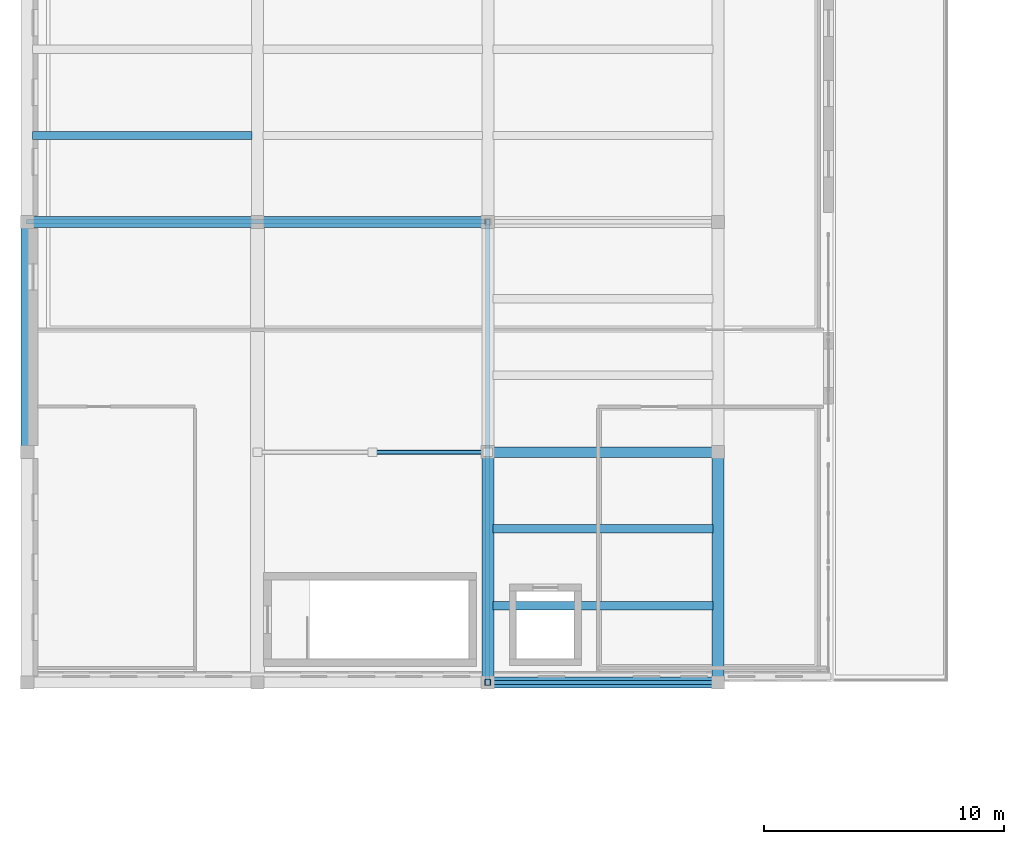
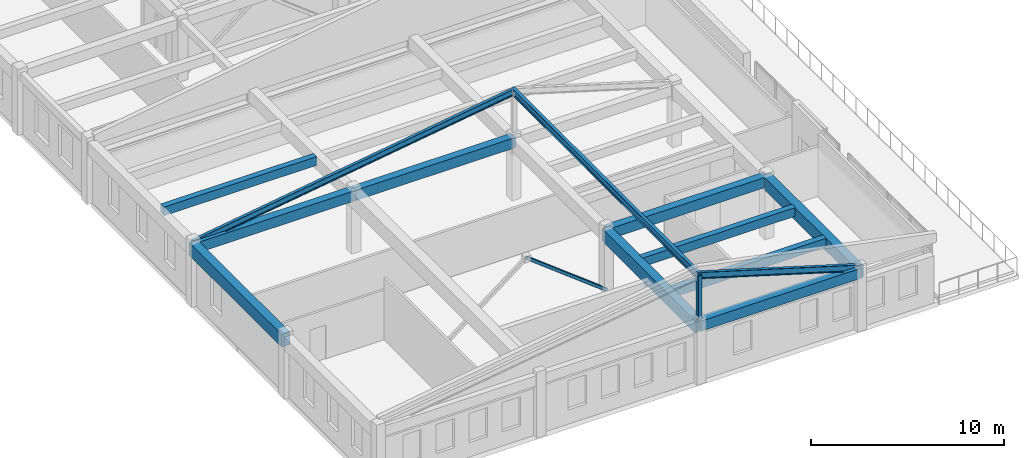
# One storey, part 2 of 31: 13 beams, 2 members.
"""IFC4 building model written with IfcOpenShell, lengths in metres."""

from ifc_helpers import new_model, si_unit, direction, frame, origin, origin_2d, place, context, subcontext, project, spatial, rectangle, hollow_rectangle, i_section, extrude, material, material_profile, profile_set, type_object, element, save


model = new_model("IFC4")

# Units and contexts
model_context = context("Model", 3, precision=1e-05, world=origin(), true_north=direction((0.0, 1.0)))
body_context = subcontext(model_context, "Body", "Model", "MODEL_VIEW")
ifc_project = project(units=[si_unit("LENGTHUNIT", "METRE"), si_unit("AREAUNIT", "SQUARE_METRE"), si_unit("VOLUMEUNIT", "CUBIC_METRE"), si_unit("PLANEANGLEUNIT", "RADIAN"), si_unit("MASSUNIT", "GRAM", prefix="KILO")], contexts=[model_context])

# Site, building, storey
site_placement = place(None, origin())
site = spatial("IfcSite", under=ifc_project, at=site_placement, CompositionType="ELEMENT")
building_placement = place(site_placement, origin())
building = spatial("IfcBuilding", under=site, at=building_placement, Name="Tarnavel Promenade Courthouse", CompositionType="ELEMENT")
storey_placement = place(building_placement, frame((0.0, 0.0, 18.60009765625)))
storey = spatial("IfcBuildingStorey", under=building, at=storey_placement, Name="L05", CompositionType="ELEMENT", Elevation=18.60009765625)

# Beams
ifc_material_1 = material(Name="Concrete C40/50", Category="concrete")
ifc_material_profile_1 = material_profile(ifc_material_1, rectangle(XDim=0.35009765625, YDim=0.550048828125, at=origin_2d()), Name="PT 350x550")
ifc_profile_set_1 = profile_set([ifc_material_profile_1], Name="Concrete C40/50")
beam_type_1 = type_object("IfcBeamType", Name="Concrete C40/50 BM-PT-350x550 (PT 350x550)", PredefinedType="JOIST", material=ifc_profile_set_1)
for number, where, z_axis, x_axis, name in (
    (1, (19.419921875, 40.39990234375, 3.679931640625), (1.0, 0.0, 0.0), (0.0, 1.0, 0.0), "L05 Secondary Floor Rib 2320"),
    (2, (19.419921875, 43.60009765625, 3.679931640625), (1.0, 0.0, 0.0), (0.0, 1.0, 0.0), "L05 Secondary Floor Rib 2321"),
):
    element("IfcBeam", number, at=place(storey_placement, frame(where, z_axis=z_axis, x_axis=x_axis)), inside=storey, type_object=beam_type_1, Name=name, PredefinedType="JOIST", context=body_context, shape_type="SweptSolid", body=[
        extrude(rectangle(XDim=0.35009765625, YDim=0.550048828125, at=origin_2d()), origin(), (0.0, 0.0, 1.0), 9.16015625),
    ])
beam_1_placement = place(storey_placement, frame((0.219970703125, 60.0, 3.679931640625), z_axis=(1.0, 0.0, 0.0), x_axis=(0.0, 1.0, 0.0)))
element("IfcBeam", 3, at=beam_1_placement, inside=storey, type_object=beam_type_1, Name="L05 Secondary Floor Rib 2324", PredefinedType="JOIST", context=body_context, shape_type="SweptSolid", body=[
    extrude(rectangle(XDim=0.35009765625, YDim=0.550048828125, at=origin_2d()), origin(), (0.0, 0.0, 1.0), 9.159912109375),
])
ifc_material_profile_2 = material_profile(ifc_material_1, rectangle(XDim=0.5, YDim=0.800048828125, at=origin_2d()), Name="PT 500x800")
ifc_profile_set_2 = profile_set([ifc_material_profile_2], Name="Concrete C40/50")
beam_type_2 = type_object("IfcBeamType", Name="Concrete C40/50 BM-PT-500x800 (PT 500x800)", PredefinedType="T_BEAM", material=ifc_profile_set_2)
beam_2_placement = place(storey_placement, frame((0.0, 46.800048828125, 3.554931640625), z_axis=(0.0, 1.0, 0.0), x_axis=(-1.0, 0.0, 0.0)))
element("IfcBeam", 4, at=beam_2_placement, inside=storey, type_object=beam_type_2, Name="L05 Transverse Girder 2277", PredefinedType="T_BEAM", context=body_context, shape_type="SweptSolid", body=[
    extrude(rectangle(XDim=0.5, YDim=0.800048828125, at=origin_2d()), origin(), (0.0, 0.0, 1.0), 9.599853515625),
])
for number, where, z_axis, x_axis, name in (
    (5, (19.199951171875, 37.199951171875, 3.554931640625), (0.0, 1.0, 0.0), (-1.0, 0.0, 0.0), "L05 Transverse Girder 2289"),
    (6, (28.800048828125, 37.199951171875, 3.554931640625), (0.0, 1.0, 0.0), (-1.0, 0.0, 0.0), "L05 Transverse Girder 2296"),
):
    element("IfcBeam", number, at=place(storey_placement, frame(where, z_axis=z_axis, x_axis=x_axis)), inside=storey, type_object=beam_type_2, Name=name, PredefinedType="T_BEAM", context=body_context, shape_type="SweptSolid", body=[
        extrude(rectangle(XDim=0.5, YDim=0.800048828125, at=origin_2d()), origin(), (0.0, 0.0, 1.0), 9.60009765625),
    ])
ifc_material_profile_3 = material_profile(ifc_material_1, rectangle(XDim=0.449951171875, YDim=0.64990234375, at=origin_2d()), Name="RC 450x650")
ifc_profile_set_3 = profile_set([ifc_material_profile_3], Name="Concrete C40/50")
beam_type_3 = type_object("IfcBeamType", Name="Concrete C40/50 BM-RC-450x650 (RC 450x650)", PredefinedType="T_BEAM", material=ifc_profile_set_3)
for number, where, z_axis, x_axis, name in (
    (7, (19.199951171875, 37.199951171875, 3.6298828125), (1.0, 0.0, 0.0), (0.0, 1.0, 0.0), "L05 Primary Longitudinal Beam 2228"),
    (8, (19.199951171875, 46.800048828125, 3.6298828125), (1.0, 0.0, 0.0), (0.0, 1.0, 0.0), "L05 Primary Longitudinal Beam 2229"),
    (9, (0.0, 56.39990234375, 3.6298828125), (1.0, 0.0, 0.0), (0.0, 1.0, 0.0), "L05 Primary Longitudinal Beam 2230"),
):
    element("IfcBeam", number, at=place(storey_placement, frame(where, z_axis=z_axis, x_axis=x_axis)), inside=storey, type_object=beam_type_3, Name=name, PredefinedType="T_BEAM", context=body_context, shape_type="SweptSolid", body=[
        extrude(rectangle(XDim=0.449951171875, YDim=0.64990234375, at=origin_2d()), origin(), (0.0, 0.0, 1.0), 9.60009765625),
    ])
beam_3_placement = place(storey_placement, frame((9.60009765625, 56.39990234375, 3.6298828125), z_axis=(1.0, 0.0, 0.0), x_axis=(0.0, 1.0, 0.0)))
element("IfcBeam", 10, at=beam_3_placement, inside=storey, type_object=beam_type_3, Name="L05 Primary Longitudinal Beam 2231", PredefinedType="T_BEAM", context=body_context, shape_type="SweptSolid", body=[
    extrude(rectangle(XDim=0.449951171875, YDim=0.64990234375, at=origin_2d()), origin(), (0.0, 0.0, 1.0), 9.599853515625),
])
ifc_material_2 = material(Name="Steel S355J2", Category="steel")
ifc_material_profile_4 = material_profile(ifc_material_2, i_section(OverallWidth=0.179931640625, OverallDepth=0.39990234375, WebThickness=0.008544921875, FlangeThickness=0.013427734375, FilletRadius=0.02099609375, at=origin_2d()), Name="IPE 400")
ifc_profile_set_4 = profile_set([ifc_material_profile_4], Name="Steel S355J2")
beam_type_4 = type_object("IfcBeamType", Name="Steel S355J2 BM-ST-IPE400 (IPE 400)", PredefinedType="BEAM", material=ifc_profile_set_4)
beam_4_placement = place(storey_placement, frame((19.294921875, 37.199951171875, 6.719970703125), z_axis=(0.957588348771, 0.0, -0.288139817272), x_axis=(0.0, 1.0, 0.0)))
element("IfcBeam", 11, at=beam_4_placement, inside=storey, type_object=beam_type_4, Name="Library Roof Rafter E", PredefinedType="BEAM", context=body_context, shape_type="SweptSolid", body=[
    extrude(i_section(OverallWidth=0.179931640625, OverallDepth=0.39990234375, WebThickness=0.008544921875, FlangeThickness=0.013427734375, FilletRadius=0.02099609375, at=origin_2d()), origin(), (0.0, 0.0, 1.0), 9.926025390625),
])
beam_5_placement = place(storey_placement, frame((0.0, 56.39990234375, 3.85986328125), z_axis=(0.988979138934, 0.0, 0.148054931539), x_axis=(0.0, 1.0, 0.0)))
element("IfcBeam", 12, at=beam_5_placement, inside=storey, type_object=beam_type_4, Name="Library Roof Rafter W", PredefinedType="BEAM", context=body_context, shape_type="SweptSolid", body=[
    extrude(i_section(OverallWidth=0.179931640625, OverallDepth=0.39990234375, WebThickness=0.008544921875, FlangeThickness=0.013427734375, FilletRadius=0.02099609375, at=origin_2d()), origin(), (0.0, 0.0, 1.0), 19.31787109375),
])
ifc_material_profile_5 = material_profile(ifc_material_2, i_section(OverallWidth=0.18994140625, OverallDepth=0.449951171875, WebThickness=0.009521484375, FlangeThickness=0.0146484375, FilletRadius=0.02099609375, at=origin_2d()), Name="IPE 450")
ifc_profile_set_5 = profile_set([ifc_material_profile_5], Name="Steel S355J2")
beam_type_5 = type_object("IfcBeamType", Name="Steel S355J2 BM-ST-IPE450 (IPE 450)", PredefinedType="BEAM", material=ifc_profile_set_5)
beam_6_placement = place(storey_placement, frame((19.199951171875, 37.10009765625, 6.719970703125), z_axis=(0.0, 1.0, 0.0), x_axis=(-1.0, 0.0, 0.0)))
element("IfcBeam", 13, at=beam_6_placement, inside=storey, type_object=beam_type_5, Name="Library Roof Ridge Beam", PredefinedType="BEAM", context=body_context, shape_type="SweptSolid", body=[
    extrude(i_section(OverallWidth=0.18994140625, OverallDepth=0.449951171875, WebThickness=0.009521484375, FlangeThickness=0.0146484375, FilletRadius=0.02099609375, at=origin_2d()), origin(), (0.0, 0.0, 1.0), 19.39990234375),
])

# Members
ifc_material_profile_6 = material_profile(ifc_material_2, hollow_rectangle(XDim=0.179931640625, YDim=0.179931640625, WallThickness=0.010009765625, InnerFilletRadius=0.010009765625, OuterFilletRadius=0.02001953125, at=origin_2d()), Name="SHS 180x180x10")
ifc_profile_set_6 = profile_set([ifc_material_profile_6], Name="Steel S355J2")
member_type_1 = type_object("IfcMemberType", Name="Steel S355J2 MEM-BR-SHS180 (SHS 180x180x10)", PredefinedType="BRACE", material=ifc_profile_set_6)
member_1_placement = place(storey_placement, frame((19.199951171875, 46.800048828125, 0.0), z_axis=(-0.791627562594, 0.0, 0.611003929727), x_axis=(0.0, -1.0, 0.0)))
element("IfcMember", 14, at=member_1_placement, inside=storey, type_object=member_type_1, Name="L05 V3 Chevron Brace B 047", PredefinedType="BRACE", context=body_context, shape_type="SweptSolid", body=[
    extrude(hollow_rectangle(XDim=0.179931640625, YDim=0.179931640625, WallThickness=0.010009765625, InnerFilletRadius=0.010009765625, OuterFilletRadius=0.02001953125, at=origin_2d()), origin(), (0.0, 0.0, 1.0), 6.0634765625),
])
ifc_material_profile_7 = material_profile(ifc_material_2, hollow_rectangle(XDim=0.25, YDim=0.25, WallThickness=0.012451171875, InnerFilletRadius=0.012451171875, OuterFilletRadius=0.02490234375, at=origin_2d()), Name="SHS 250x250x12.5")
ifc_profile_set_7 = profile_set([ifc_material_profile_7], Name="Steel S355J2")
member_type_2 = type_object("IfcMemberType", Name="Steel S355J2 MEM-STR-SHS250 (SHS 250x250x12.5)", PredefinedType="STRUT", material=ifc_profile_set_7)
member_2_placement = place(storey_placement, frame((19.199951171875, 37.199951171875, 3.7998046875), z_axis=(0.0, 0.0, 1.0), x_axis=(1.0, 0.0, 0.0)))
element("IfcMember", 15, at=member_2_placement, inside=storey, type_object=member_type_2, Name="Library Ridge King-Post", PredefinedType="STRUT", context=body_context, shape_type="SweptSolid", body=[
    extrude(hollow_rectangle(XDim=0.25, YDim=0.25, WallThickness=0.012451171875, InnerFilletRadius=0.012451171875, OuterFilletRadius=0.02490234375, at=origin_2d()), origin(), (0.0, 0.0, 1.0), 2.960205078125),
])

save(model, "model.ifc")
